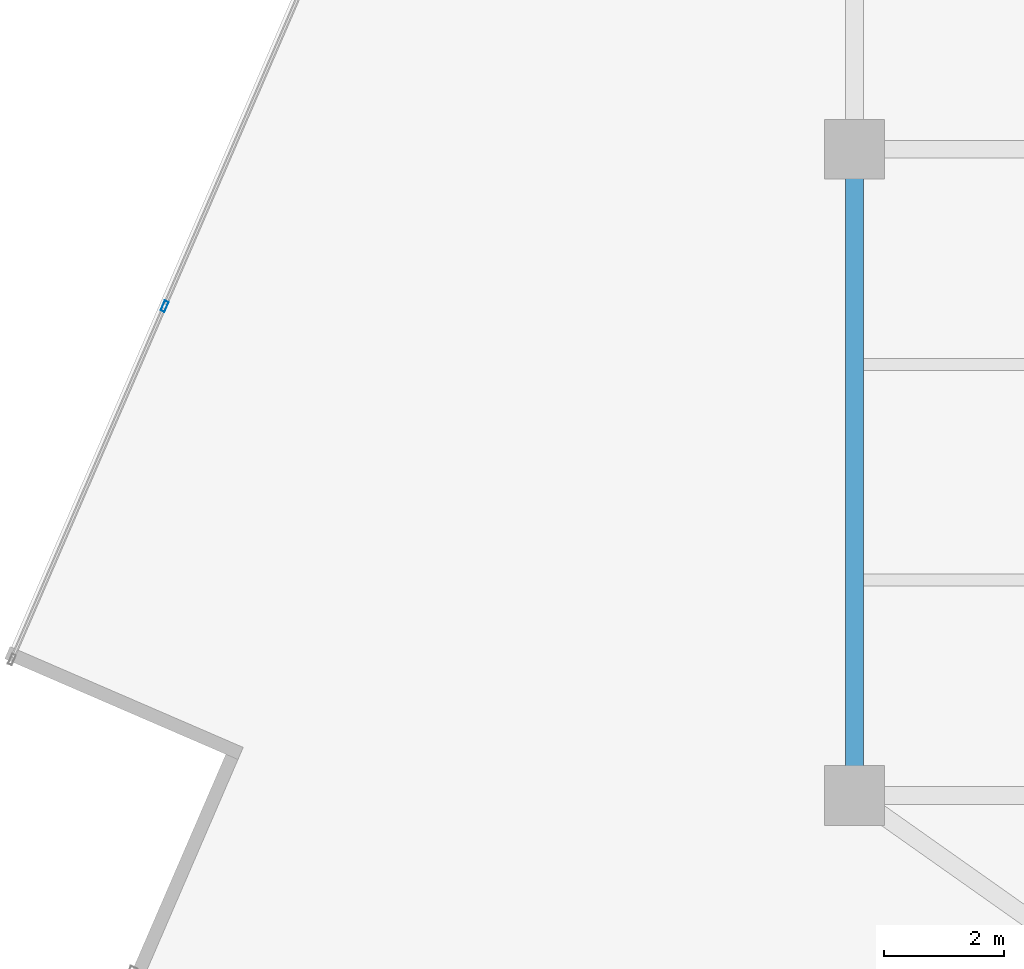
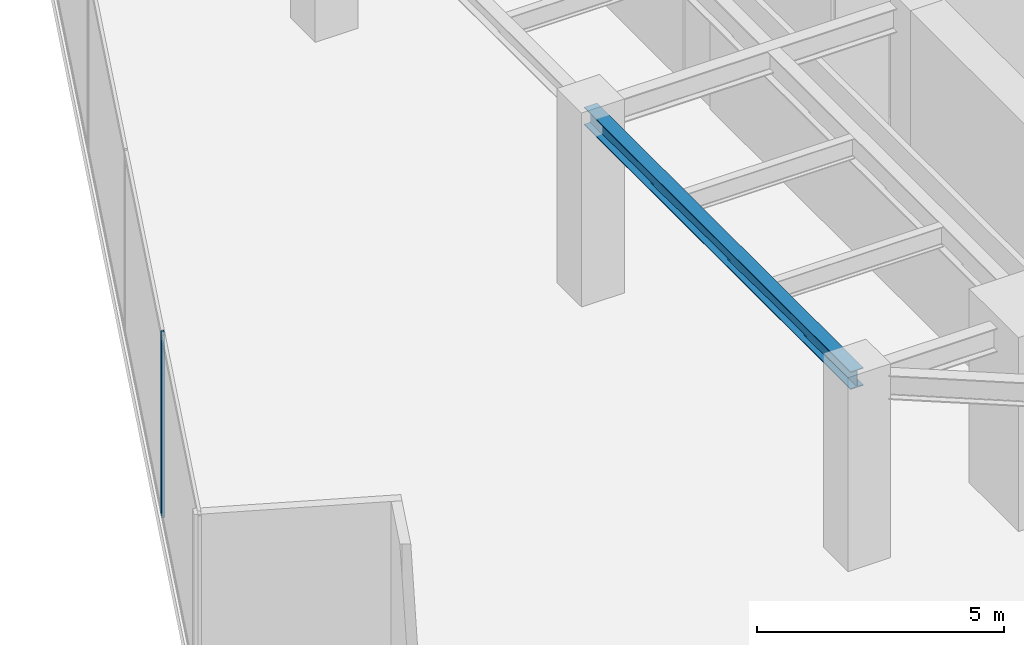
# One storey, part 6 of 24: 1 beam, 1 member, 1 element without a shape of its own.
"""IFC4 building model written with IfcOpenShell, lengths in metres."""

from ifc_helpers import new_model, si_unit, direction, frame, origin, origin_2d, place, context, subcontext, project, spatial, hollow_rectangle, i_section, extrude, source, transform, mapped, material, material_profile, profile_set, type_object, type_shapes, element, aggregate, save


model = new_model("IFC4")

# Units and contexts
model_context = context("Model", 3, precision=1e-05, world=origin(), true_north=direction((0.0, 1.0)))
body_context = subcontext(model_context, "Body", "Model", "MODEL_VIEW")
ifc_project = project(units=[si_unit("LENGTHUNIT", "METRE"), si_unit("AREAUNIT", "SQUARE_METRE"), si_unit("VOLUMEUNIT", "CUBIC_METRE"), si_unit("PLANEANGLEUNIT", "RADIAN"), si_unit("MASSUNIT", "GRAM", prefix="KILO")], contexts=[model_context])

# Site, building, storey
site_placement = place(None, origin())
site = spatial("IfcSite", under=ifc_project, at=site_placement, CompositionType="ELEMENT")
building_placement = place(site_placement, origin())
building = spatial("IfcBuilding", under=site, at=building_placement, Name="Krantzveldt Concourse Tower", CompositionType="ELEMENT")
storey_placement = place(building_placement, frame((0.0, 0.0, 141.39990234375)))
storey = spatial("IfcBuildingStorey", under=building, at=storey_placement, Name="L34", CompositionType="ELEMENT", Elevation=141.39990234375)

# Beam
ifc_material_1 = material(Name="Steel S355JR", Category="steel")
ifc_material_profile_1 = material_profile(ifc_material_1, i_section(OverallWidth=0.300048828125, OverallDepth=0.43994140625, WebThickness=0.011474609375, FlangeThickness=0.02099609375, FilletRadius=0.027099609375, at=origin_2d()), Name="Steel S355JR", Category="steel")
ifc_profile_set_1 = profile_set([ifc_material_profile_1], Name="Steel S355JR - HEA 450")
beam_type = type_object("IfcBeamType", Name="BM-SP-HEA450", PredefinedType="SPANDREL", material=ifc_profile_set_1)
shared_shape_1 = source(origin(), body_context, "Body", "SweptSolid", [
    extrude(i_section(OverallWidth=0.300048828125, OverallDepth=0.43994140625, WebThickness=0.011474609375, FlangeThickness=0.02099609375, FilletRadius=0.027099609375, at=origin_2d()), origin(), (0.0, 0.0, 1.0), 10.800048828125),
])
type_shapes(beam_type, [shared_shape_1])
beam_placement = place(storey_placement, frame((21.0, 15.89990234375, 4.300048828125), z_axis=(0.0, 1.0, 0.0), x_axis=(-1.0, 0.0, 0.0)))
element("IfcBeam", 1, at=beam_placement, inside=storey, type_object=beam_type, Name="L34 Tower Girder SP-R01", PredefinedType="SPANDREL", context=body_context, shape_type="MappedRepresentation", body=[
    mapped(shared_shape_1, transform((0.0, 0.0, 0.0), x_axis=(1.0, 0.0, 0.0), y_axis=(0.0, 1.0, 0.0), z_axis=(0.0, 0.0, 1.0), scale=1.0)),
])

# Curtain wall, member
ifc_material_2 = material(Name="Anodised aluminium 6063-T6", Category="aluminium")
curtain_wall_type = type_object("IfcCurtainWallType", Name="CW5", PredefinedType="USERDEFINED", material=ifc_material_2)
curtain_wall_placement = place(storey_placement, origin())
curtain_wall = element("IfcCurtainWall", 2, at=curtain_wall_placement, inside=storey, type_object=curtain_wall_type, Name="CW-L34-F01", ObjectType="UNITISED CURTAIN WALL", PredefinedType="USERDEFINED")
ifc_material_profile_2 = material_profile(ifc_material_2, hollow_rectangle(XDim=0.070068359375, YDim=0.179931640625, WallThickness=0.0048828125, at=origin_2d()), Name="Anodised aluminium 6063-T6", Category="aluminium")
ifc_profile_set_2 = profile_set([ifc_material_profile_2], Name="Anodised aluminium 6063-T6 - ALU-MULL 180x70x5")
member_type = type_object("IfcMemberType", Name="CW-MUL-180", PredefinedType="MULLION", material=ifc_profile_set_2)
shared_shape_2 = source(origin(), body_context, "Body", "SweptSolid", [
    extrude(hollow_rectangle(XDim=0.070068359375, YDim=0.179931640625, WallThickness=0.0048828125, at=origin_2d()), origin(), (0.0, 0.0, 1.0), 4.52001953125),
])
type_shapes(member_type, [shared_shape_2])
member_placement = place(storey_placement, frame((9.471923828125, 24.076416015625, 0.0), z_axis=(0.0, 0.0, 1.0), x_axis=(0.917927822306, -0.396747417177, 0.0)))
member = element("IfcMember", 3, at=member_placement, type_object=member_type, Name="CW-SKY mullion 6", PredefinedType="MULLION", context=body_context, shape_type="MappedRepresentation", body=[
    mapped(shared_shape_2, transform((0.0, 0.0, 0.0), x_axis=(1.0, 0.0, 0.0), y_axis=(0.0, 1.0, 0.0), z_axis=(0.0, 0.0, 1.0), scale=1.0)),
])
aggregate(curtain_wall, [member])

save(model, "model.ifc")
